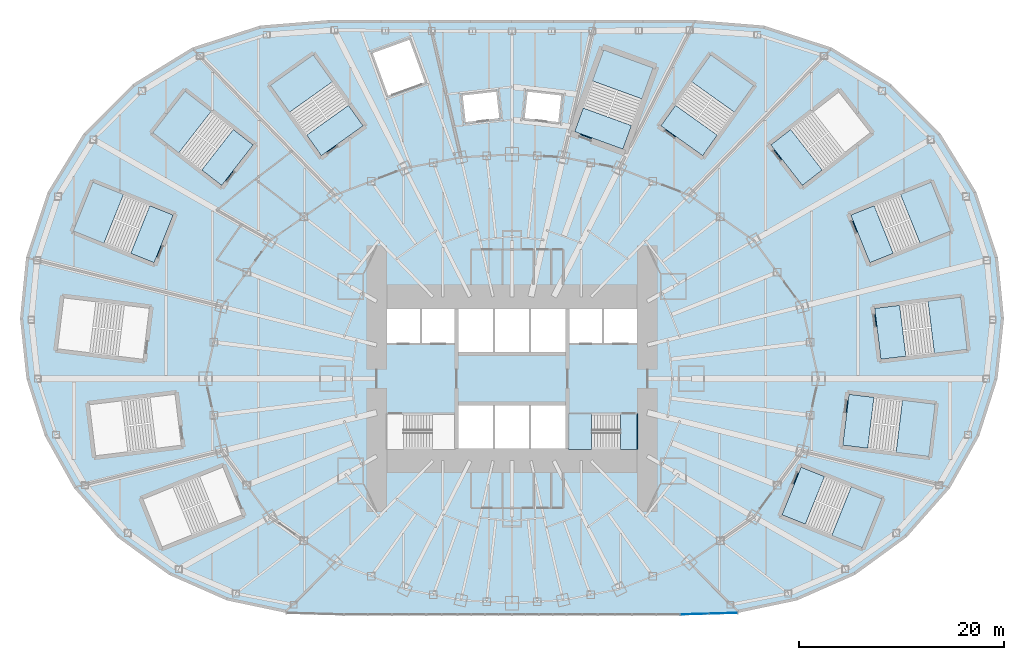
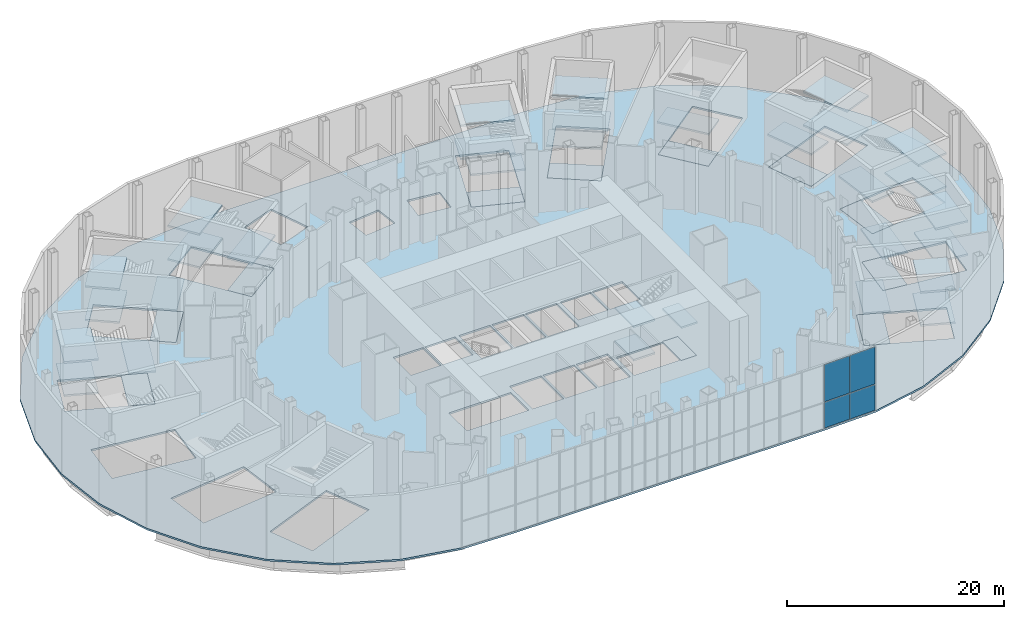
# One storey, part 12 of 73: 43 slabs, 4 plates, 12 elements without a shape of their own.
"""IFC4 building model written with IfcOpenShell, lengths in metres."""

from ifc_helpers import new_model, si_unit, direction, frame, origin, origin_2d, place, context, subcontext, project, spatial, polyline, rectangle, outline, extrude, material, layer, layer_set, type_object, element, aggregate, save


model = new_model("IFC4")

# Units and contexts
model_context = context("Model", 3, precision=1e-05, world=origin(), true_north=direction((0.0, 1.0)))
body_context = subcontext(model_context, "Body", "Model", "MODEL_VIEW")
ifc_project = project(units=[si_unit("LENGTHUNIT", "METRE"), si_unit("AREAUNIT", "SQUARE_METRE"), si_unit("VOLUMEUNIT", "CUBIC_METRE"), si_unit("PLANEANGLEUNIT", "RADIAN"), si_unit("MASSUNIT", "GRAM", prefix="KILO")], contexts=[model_context])

# Site, building, storey
site_placement = place(None, origin())
site = spatial("IfcSite", under=ifc_project, at=site_placement, CompositionType="ELEMENT")
building_placement = place(site_placement, origin())
building = spatial("IfcBuilding", under=site, at=building_placement, Name="Lantaw Convention Tower", CompositionType="ELEMENT")
storey_placement = place(building_placement, frame((0.0, 0.0, 14.5)))
storey = spatial("IfcBuildingStorey", under=building, at=storey_placement, Name="L02", CompositionType="ELEMENT", Elevation=14.5)

# Curtain wall, plates
ifc_material_1 = material(Name="Aluminium framed curtain wall", Category="aluminium")
curtain_wall_type = type_object("IfcCurtainWallType", Name="Podium storefront curtain wall, pale aluminium", PredefinedType="USERDEFINED", material=ifc_material_1)
curtain_wall_placement = place(storey_placement, origin())
curtain_wall = element("IfcCurtainWall", 1, at=curtain_wall_placement, inside=storey, type_object=curtain_wall_type, Name="Podium storefront curtain wall, pale aluminium L02", ObjectType="STOREFRONT", PredefinedType="USERDEFINED")
ifc_material_2 = material(Name="Laminated clear glass", Category="glass")
ifc_layer_1 = layer(ifc_material_2, 0.031982421875)
ifc_layer_set_1 = layer_set([ifc_layer_1], Name="CW-P panel 32")
plate_type = type_object("IfcPlateType", Name="CW-P panel 32", PredefinedType="CURTAIN_PANEL", material=ifc_layer_set_1)
plate_1_placement = place(storey_placement, frame((17.838134765625, -22.958984375, 0.080078125), z_axis=(0.0, 0.0, 1.0), x_axis=(0.99959230263, 0.028552206976, 0.0)))
plate_1 = element("IfcPlate", 2, at=plate_1_placement, type_object=plate_type, Name="CW-P panel 1.1", PredefinedType="CURTAIN_PANEL", context=body_context, shape_type="SweptSolid", body=[
    extrude(rectangle(XDim=2.705810546875, YDim=0.031982421875, at=origin_2d()), origin(), (0.0, 0.0, 1.0), 2.8798828125),
])
plate_2_placement = place(storey_placement, frame((17.838134765625, -22.958984375, 3.0400390625), z_axis=(0.0, 0.0, 1.0), x_axis=(0.99959230263, 0.028552206976, 0.0)))
plate_2 = element("IfcPlate", 3, at=plate_2_placement, type_object=plate_type, Name="CW-P panel 1.2", PredefinedType="CURTAIN_PANEL", context=body_context, shape_type="SweptSolid", body=[
    extrude(rectangle(XDim=2.705810546875, YDim=0.031982421875, at=origin_2d()), origin(), (0.0, 0.0, 1.0), 4.179931640625),
])
plate_3_placement = place(storey_placement, frame((20.622802734375, -22.879638671875, 0.080078125), z_axis=(0.0, 0.0, 1.0), x_axis=(0.99959230263, 0.028552206976, 0.0)))
plate_3 = element("IfcPlate", 4, at=plate_3_placement, type_object=plate_type, Name="CW-P panel 2.1", PredefinedType="CURTAIN_PANEL", context=body_context, shape_type="SweptSolid", body=[
    extrude(rectangle(XDim=2.705810546875, YDim=0.031982421875, at=origin_2d()), origin(), (0.0, 0.0, 1.0), 2.8798828125),
])
plate_4_placement = place(storey_placement, frame((20.622802734375, -22.879638671875, 3.0400390625), z_axis=(0.0, 0.0, 1.0), x_axis=(0.99959230263, 0.028552206976, 0.0)))
plate_4 = element("IfcPlate", 5, at=plate_4_placement, type_object=plate_type, Name="CW-P panel 2.2", PredefinedType="CURTAIN_PANEL", context=body_context, shape_type="SweptSolid", body=[
    extrude(rectangle(XDim=2.705810546875, YDim=0.031982421875, at=origin_2d()), origin(), (0.0, 0.0, 1.0), 4.179931640625),
])
aggregate(curtain_wall, [plate_1, plate_2, plate_3, plate_4])

# Slab
ifc_material_3 = material(Name="Concrete C35/45", Category="concrete")
ifc_layer_2 = layer(ifc_material_3, 0.199951171875)
ifc_layer_set_2 = layer_set([ifc_layer_2], Name="Floor slab 200")
slab_type_1 = type_object("IfcSlabType", Name="Floor slab 200", PredefinedType="FLOOR", material=ifc_layer_set_2)
slab_1_placement = place(storey_placement, frame((0.0, 0.0, -0.199951171875)))
element("IfcSlab", 6, at=slab_1_placement, inside=storey, type_object=slab_type_1, Name="L02 floor slab", PredefinedType="FLOOR", context=body_context, shape_type="SweptSolid", body=[
    extrude(outline(polyline([(45.580322265625, -5.5966796875), (47.37255859375, 0.0), (47.999755859375, 5.8935546875), (47.409912109375, 11.820556640625), (45.313232421875, 18.190673828125), (41.819091796875, 23.896728515625), (36.97607421875, 28.756591796875), (31.2001953125, 32.308837890625), (24.578857421875, 34.458251953125), (17.83349609375, 35.0), (-17.83349609375, 35.0), (-24.578857421875, 34.458251953125), (-31.2001953125, 32.308837890625), (-36.97607421875, 28.756591796875), (-41.819091796875, 23.896728515625), (-45.313232421875, 18.190673828125), (-47.409912109375, 11.820556640625), (-47.999755859375, 5.8935546875), (-47.37255859375, 0.0), (-45.580322265625, -5.5966796875), (-42.73974609375, -10.65625), (-38.50732421875, -15.45849609375), (-33.4755859375, -19.12890625), (-27.811279296875, -21.62890625), (-22.054931640625, -22.838623046875), (-16.40576171875, -23.0), (16.40576171875, -23.0), (22.054931640625, -22.838623046875), (27.811279296875, -21.62890625), (33.4755859375, -19.12890625), (38.50732421875, -15.458251953125), (42.73974609375, -10.65625), (45.580322265625, -5.5966796875)]), holes=[polyline([(-36.005126953125, -11.760009765625), (-34.142333984375, -16.400146484375), (-26.346923828125, -13.270751953125), (-28.209716796875, -8.630615234375), (-36.005126953125, -11.760009765625)]), polyline([(-12.199951171875, -6.800048828125), (-5.60009765625, -6.800048828125), (-5.60009765625, -3.5), (-12.199951171875, -3.5), (-12.199951171875, -6.800048828125)]), polyline([(-5.199951171875, -6.800048828125), (-1.86669921875, -6.800048828125), (-1.86669921875, -2.60009765625), (-5.199951171875, -2.60009765625), (-5.199951171875, -6.800048828125)]), polyline([(-1.666748046875, -6.800048828125), (1.666748046875, -6.800048828125), (1.666748046875, -2.60009765625), (-1.666748046875, -2.60009765625), (-1.666748046875, -6.800048828125)]), polyline([(-32.8828125, -1.518798828125), (-41.22021484375, -2.54248046875), (-40.61083984375, -7.505126953125), (-32.2734375, -6.4814453125), (-32.8828125, -1.518798828125)]), polyline([(-5.199951171875, 2.60009765625), (-1.86669921875, 2.60009765625), (-1.86669921875, 6.800048828125), (-5.199951171875, 6.800048828125), (-5.199951171875, 2.60009765625)]), polyline([(-35.387451171875, 6.86376953125), (-43.724853515625, 7.887451171875), (-44.334228515625, 2.9248046875), (-35.996826171875, 1.901123046875), (-35.387451171875, 6.86376953125)]), polyline([(-9.0, 3.5), (-9.0, 6.800048828125), (-12.199951171875, 6.800048828125), (-12.199951171875, 3.5), (-9.0, 3.5)]), polyline([(-8.800048828125, 3.5), (-5.60009765625, 3.5), (-5.60009765625, 6.800048828125), (-8.800048828125, 6.800048828125), (-8.800048828125, 3.5)]), polyline([(-33.06005859375, 15.965576171875), (-40.85546875, 19.094970703125), (-42.71826171875, 14.454833984375), (-34.9228515625, 11.325439453125), (-33.06005859375, 15.965576171875)]), polyline([(-25.25830078125, 22.810546875), (-31.88916015625, 27.967529296875), (-34.95849609375, 24.0205078125), (-28.327880859375, 18.86376953125), (-25.25830078125, 22.810546875)]), polyline([(-1.236083984375, 25.423583984375), (-1.5302734375, 28.0068359375), (-4.80908203125, 27.63330078125), (-4.5146484375, 25.050048828125), (-1.236083984375, 25.423583984375)]), polyline([(-14.52978515625, 24.67529296875), (-19.40771484375, 31.513916015625), (-23.478271484375, 28.6103515625), (-18.6005859375, 21.771728515625), (-14.52978515625, 24.67529296875)]), polyline([(-8.50927734375, 28.9345703125), (-10.01416015625, 33.0693359375), (-13.585205078125, 31.76953125), (-12.080322265625, 27.635009765625), (-8.50927734375, 28.9345703125)]), polyline([(34.142333984375, -16.39990234375), (36.005126953125, -11.760009765625), (28.209716796875, -8.630615234375), (26.34716796875, -13.270751953125), (34.142333984375, -16.39990234375)]), polyline([(5.60009765625, -6.800048828125), (12.199951171875, -6.800048828125), (12.199951171875, -3.5), (5.60009765625, -3.5), (5.60009765625, -6.800048828125)]), polyline([(1.86669921875, -6.800048828125), (5.199951171875, -6.800048828125), (5.199951171875, -2.60009765625), (1.86669921875, -2.60009765625), (1.86669921875, -6.800048828125)]), polyline([(32.2734375, -6.4814453125), (40.61083984375, -7.505126953125), (41.22021484375, -2.54248046875), (32.8828125, -1.518798828125), (32.2734375, -6.4814453125)]), polyline([(-1.666748046875, 2.60009765625), (1.666748046875, 2.60009765625), (1.666748046875, 6.800048828125), (-1.666748046875, 6.800048828125), (-1.666748046875, 2.60009765625)]), polyline([(1.86669921875, 2.60009765625), (5.199951171875, 2.60009765625), (5.199951171875, 6.800048828125), (1.86669921875, 6.800048828125), (1.86669921875, 2.60009765625)]), polyline([(35.996826171875, 1.901123046875), (44.334228515625, 2.9248046875), (43.724853515625, 7.887451171875), (35.387451171875, 6.86376953125), (35.996826171875, 1.901123046875)]), polyline([(8.800048828125, 3.5), (8.800048828125, 6.800048828125), (5.60009765625, 6.800048828125), (5.60009765625, 3.5), (8.800048828125, 3.5)]), polyline([(9.0, 3.5), (12.199951171875, 3.5), (12.199951171875, 6.800048828125), (9.0, 6.800048828125), (9.0, 3.5)]), polyline([(34.9228515625, 11.325439453125), (42.71826171875, 14.454833984375), (40.85546875, 19.094970703125), (33.06005859375, 15.965576171875), (34.9228515625, 11.325439453125)]), polyline([(28.327880859375, 18.86376953125), (34.95849609375, 24.0205078125), (31.88916015625, 27.967529296875), (25.25830078125, 22.810546875), (28.327880859375, 18.86376953125)]), polyline([(4.5146484375, 25.050048828125), (4.80908203125, 27.63330078125), (1.5302734375, 28.0068359375), (1.236083984375, 25.423583984375), (4.5146484375, 25.050048828125)]), polyline([(18.6005859375, 21.771728515625), (23.478271484375, 28.6103515625), (19.40771484375, 31.513916015625), (14.52978515625, 24.67529296875), (18.6005859375, 21.771728515625)]), polyline([(10.81298828125, 22.398681640625), (13.685791015625, 30.292236328125), (8.987548828125, 32.002197265625), (6.114501953125, 24.10888671875), (10.81298828125, 22.398681640625)])]), origin(), (0.0, 0.0, 1.0), 0.199951171875),
])

# Stair, slabs
stair_type_1 = type_object("IfcStairType", Name="Exit stair 1500 riser 170.45 in 4 flights", PredefinedType="HALF_TURN_STAIR", material=ifc_material_3)
stair_1_placement = place(storey_placement, origin())
stair_1 = element("IfcStair", 7, at=stair_1_placement, inside=storey, type_object=stair_type_1, Name="Exit stair S2 L02", PredefinedType="HALF_TURN_STAIR")
ifc_layer_3 = layer(ifc_material_3, 0.199951171875)
ifc_layer_set_3 = layer_set([ifc_layer_3], Name="Stair landing 200")
slab_type_2 = type_object("IfcSlabType", Name="Stair landing 200", PredefinedType="LANDING", material=ifc_layer_set_3)
slab_2_placement = place(storey_placement, frame((0.0, 0.0, -0.199951171875)))
slab_2 = element("IfcSlab", 8, at=slab_2_placement, type_object=slab_type_2, Name="S2 landing 1", PredefinedType="LANDING", context=body_context, shape_type="SweptSolid", body=[
    extrude(outline(polyline([(10.580078125, -6.89990234375), (12.199951171875, -6.89990234375), (12.199951171875, -3.39990234375), (10.580078125, -3.39990234375), (10.580078125, -6.89990234375)])), origin(), (0.0, 0.0, 1.0), 0.199951171875),
])
slab_3_placement = place(storey_placement, frame((0.0, 0.0, 1.675048828125)))
slab_3 = element("IfcSlab", 9, at=slab_3_placement, type_object=slab_type_2, Name="S2 landing 2", PredefinedType="LANDING", context=body_context, shape_type="SweptSolid", body=[
    extrude(outline(polyline([(5.5, -6.89990234375), (7.780029296875, -6.89990234375), (7.780029296875, -3.39990234375), (5.5, -3.39990234375), (5.5, -6.89990234375)])), origin(), (0.0, 0.0, 1.0), 0.199951171875),
])
slab_4_placement = place(storey_placement, frame((0.0, 0.0, 3.550048828125)))
slab_4 = element("IfcSlab", 10, at=slab_4_placement, type_object=slab_type_2, Name="S2 landing 3", PredefinedType="LANDING", context=body_context, shape_type="SweptSolid", body=[
    extrude(outline(polyline([(10.580078125, -6.89990234375), (12.300048828125, -6.89990234375), (12.300048828125, -3.39990234375), (10.580078125, -3.39990234375), (10.580078125, -6.89990234375)])), origin(), (0.0, 0.0, 1.0), 0.199951171875),
])
slab_5_placement = place(storey_placement, frame((0.0, 0.0, 5.425048828125)))
slab_5 = element("IfcSlab", 11, at=slab_5_placement, type_object=slab_type_2, Name="S2 landing 4", PredefinedType="LANDING", context=body_context, shape_type="SweptSolid", body=[
    extrude(outline(polyline([(5.5, -6.89990234375), (7.780029296875, -6.89990234375), (7.780029296875, -3.39990234375), (5.5, -3.39990234375), (5.5, -6.89990234375)])), origin(), (0.0, 0.0, 1.0), 0.199951171875),
])
aggregate(stair_1, [slab_2, slab_3, slab_4, slab_5])

stair_type_2 = type_object("IfcStairType", Name="Exit stair 2400 riser 170.45 in 4 flights", PredefinedType="HALF_TURN_STAIR", material=ifc_material_3)
stair_2_placement = place(storey_placement, origin())
stair_2 = element("IfcStair", 12, at=stair_2_placement, inside=storey, type_object=stair_type_2, Name="Podium exit stair P1 L02", PredefinedType="HALF_TURN_STAIR")
slab_6_placement = place(storey_placement, frame((0.0, 0.0, -0.199951171875)))
slab_6 = element("IfcSlab", 13, at=slab_6_placement, type_object=slab_type_2, Name="P1 landing 1", PredefinedType="LANDING", context=body_context, shape_type="SweptSolid", body=[
    extrude(outline(polyline([(35.996826171875, 1.901123046875), (38.4306640625, 2.199951171875), (37.8212890625, 7.16259765625), (35.387451171875, 6.86376953125), (35.996826171875, 1.901123046875)])), origin(), (0.0, 0.0, 1.0), 0.199951171875),
])
slab_7_placement = place(storey_placement, frame((0.0, 0.0, 1.675048828125)))
slab_7 = element("IfcSlab", 14, at=slab_7_placement, type_object=slab_type_2, Name="P1 landing 2", PredefinedType="LANDING", context=body_context, shape_type="SweptSolid", body=[
    extrude(outline(polyline([(41.215576171875, 2.461181640625), (44.42333984375, 2.855224609375), (43.794677734375, 7.9765625), (40.586669921875, 7.582763671875), (41.215576171875, 2.461181640625)])), origin(), (0.0, 0.0, 1.0), 0.199951171875),
])
slab_8_placement = place(storey_placement, frame((0.0, 0.0, 3.550048828125)))
slab_8 = element("IfcSlab", 15, at=slab_8_placement, type_object=slab_type_2, Name="P1 landing 3", PredefinedType="LANDING", context=body_context, shape_type="SweptSolid", body=[
    extrude(outline(polyline([(35.92724609375, 1.81201171875), (38.4404296875, 2.12060546875), (37.8115234375, 7.241943359375), (35.29833984375, 6.93359375), (35.92724609375, 1.81201171875)])), origin(), (0.0, 0.0, 1.0), 0.199951171875),
])
slab_9_placement = place(storey_placement, frame((0.0, 0.0, 5.425048828125)))
slab_9 = element("IfcSlab", 16, at=slab_9_placement, type_object=slab_type_2, Name="P1 landing 4", PredefinedType="LANDING", context=body_context, shape_type="SweptSolid", body=[
    extrude(outline(polyline([(41.215576171875, 2.461181640625), (44.42333984375, 2.855224609375), (43.794677734375, 7.9765625), (40.586669921875, 7.582763671875), (41.215576171875, 2.461181640625)])), origin(), (0.0, 0.0, 1.0), 0.199951171875),
])
aggregate(stair_2, [slab_6, slab_7, slab_8, slab_9])

stair_3_placement = place(storey_placement, origin())
stair_3 = element("IfcStair", 17, at=stair_3_placement, inside=storey, type_object=stair_type_2, Name="Podium exit stair P2 L02", PredefinedType="HALF_TURN_STAIR")
slab_10_placement = place(storey_placement, frame((0.0, 0.0, -0.199951171875)))
slab_10 = element("IfcSlab", 18, at=slab_10_placement, type_object=slab_type_2, Name="P2 landing 1", PredefinedType="LANDING", context=body_context, shape_type="SweptSolid", body=[
    extrude(outline(polyline([(34.9228515625, 11.325439453125), (37.198486328125, 12.239013671875), (35.335693359375, 16.879150390625), (33.06005859375, 15.965576171875), (34.9228515625, 11.325439453125)])), origin(), (0.0, 0.0, 1.0), 0.199951171875),
])
slab_11_placement = place(storey_placement, frame((0.0, 0.0, 1.675048828125)))
slab_11 = element("IfcSlab", 19, at=slab_11_placement, type_object=slab_type_2, Name="P2 landing 2", PredefinedType="LANDING", context=body_context, shape_type="SweptSolid", body=[
    extrude(outline(polyline([(39.822998046875, 13.206298828125), (42.822265625, 14.410400390625), (40.89990234375, 19.198974609375), (37.900634765625, 17.994873046875), (39.822998046875, 13.206298828125)])), origin(), (0.0, 0.0, 1.0), 0.199951171875),
])
slab_12_placement = place(storey_placement, frame((0.0, 0.0, 3.550048828125)))
slab_12 = element("IfcSlab", 20, at=slab_12_placement, type_object=slab_type_2, Name="P2 landing 3", PredefinedType="LANDING", context=body_context, shape_type="SweptSolid", body=[
    extrude(outline(polyline([(34.87841796875, 11.221435546875), (37.228271484375, 12.164794921875), (35.305908203125, 16.953369140625), (32.9560546875, 16.010009765625), (34.87841796875, 11.221435546875)])), origin(), (0.0, 0.0, 1.0), 0.199951171875),
])
slab_13_placement = place(storey_placement, frame((0.0, 0.0, 5.425048828125)))
slab_13 = element("IfcSlab", 21, at=slab_13_placement, type_object=slab_type_2, Name="P2 landing 4", PredefinedType="LANDING", context=body_context, shape_type="SweptSolid", body=[
    extrude(outline(polyline([(39.822998046875, 13.206298828125), (42.822265625, 14.410400390625), (40.89990234375, 19.198974609375), (37.900634765625, 17.994873046875), (39.822998046875, 13.206298828125)])), origin(), (0.0, 0.0, 1.0), 0.199951171875),
])
aggregate(stair_3, [slab_10, slab_11, slab_12, slab_13])

stair_4_placement = place(storey_placement, origin())
stair_4 = element("IfcStair", 22, at=stair_4_placement, inside=storey, type_object=stair_type_2, Name="Podium exit stair P3 L02", PredefinedType="HALF_TURN_STAIR")
slab_14_placement = place(storey_placement, frame((0.0, 0.0, -0.199951171875)))
slab_14 = element("IfcSlab", 23, at=slab_14_placement, type_object=slab_type_2, Name="P3 landing 1", PredefinedType="LANDING", context=body_context, shape_type="SweptSolid", body=[
    extrude(outline(polyline([(28.327880859375, 18.86376953125), (30.263427734375, 20.369140625), (27.19384765625, 24.31591796875), (25.25830078125, 22.810546875), (28.327880859375, 18.86376953125)])), origin(), (0.0, 0.0, 1.0), 0.199951171875),
])
slab_15_placement = place(storey_placement, frame((0.0, 0.0, 3.550048828125)))
slab_15 = element("IfcSlab", 24, at=slab_15_placement, type_object=slab_type_2, Name="P3 landing 3", PredefinedType="LANDING", context=body_context, shape_type="SweptSolid", body=[
    extrude(outline(polyline([(28.313720703125, 18.75146484375), (30.3125, 20.305908203125), (27.144775390625, 24.379150390625), (25.14599609375, 22.82470703125), (28.313720703125, 18.75146484375)])), origin(), (0.0, 0.0, 1.0), 0.199951171875),
])
aggregate(stair_4, [slab_14, slab_15])

stair_5_placement = place(storey_placement, origin())
stair_5 = element("IfcStair", 25, at=stair_5_placement, inside=storey, type_object=stair_type_2, Name="Podium exit stair P4 L02", PredefinedType="HALF_TURN_STAIR")
slab_16_placement = place(storey_placement, frame((0.0, 0.0, -0.199951171875)))
slab_16 = element("IfcSlab", 26, at=slab_16_placement, type_object=slab_type_2, Name="P4 landing 1", PredefinedType="LANDING", context=body_context, shape_type="SweptSolid", body=[
    extrude(outline(polyline([(18.6005859375, 21.771728515625), (20.0244140625, 23.76806640625), (15.953857421875, 26.67138671875), (14.52978515625, 24.67529296875), (18.6005859375, 21.771728515625)])), origin(), (0.0, 0.0, 1.0), 0.199951171875),
])
slab_17_placement = place(storey_placement, frame((0.0, 0.0, 1.675048828125)))
slab_17 = element("IfcSlab", 27, at=slab_17_placement, type_object=slab_type_2, Name="P4 landing 2", PredefinedType="LANDING", context=body_context, shape_type="SweptSolid", body=[
    extrude(outline(polyline([(21.713134765625, 25.997802734375), (23.58984375, 28.62890625), (19.38916015625, 31.62548828125), (17.51220703125, 28.994140625), (21.713134765625, 25.997802734375)])), origin(), (0.0, 0.0, 1.0), 0.199951171875),
])
slab_18_placement = place(storey_placement, frame((0.0, 0.0, 3.550048828125)))
slab_18 = element("IfcSlab", 28, at=slab_18_placement, type_object=slab_type_2, Name="P4 landing 3", PredefinedType="LANDING", context=body_context, shape_type="SweptSolid", body=[
    extrude(outline(polyline([(18.619140625, 21.66015625), (20.089599609375, 23.721435546875), (15.888671875, 26.718017578125), (14.418212890625, 24.656494140625), (18.619140625, 21.66015625)])), origin(), (0.0, 0.0, 1.0), 0.199951171875),
])
slab_19_placement = place(storey_placement, frame((0.0, 0.0, 5.425048828125)))
slab_19 = element("IfcSlab", 29, at=slab_19_placement, type_object=slab_type_2, Name="P4 landing 4", PredefinedType="LANDING", context=body_context, shape_type="SweptSolid", body=[
    extrude(outline(polyline([(21.713134765625, 25.997802734375), (23.58984375, 28.62890625), (19.38916015625, 31.62548828125), (17.51220703125, 28.994140625), (21.713134765625, 25.997802734375)])), origin(), (0.0, 0.0, 1.0), 0.199951171875),
])
aggregate(stair_5, [slab_16, slab_17, slab_18, slab_19])

stair_6_placement = place(storey_placement, origin())
stair_6 = element("IfcStair", 30, at=stair_6_placement, inside=storey, type_object=stair_type_2, Name="Podium exit stair P5 L02", PredefinedType="HALF_TURN_STAIR")
slab_20_placement = place(storey_placement, frame((0.0, 0.0, -0.199951171875)))
slab_20 = element("IfcSlab", 31, at=slab_20_placement, type_object=slab_type_2, Name="P5 landing 1", PredefinedType="LANDING", context=body_context, shape_type="SweptSolid", body=[
    extrude(outline(polyline([(10.81298828125, 22.398681640625), (11.651611328125, 24.702880859375), (6.953125, 26.4130859375), (6.114501953125, 24.10888671875), (10.81298828125, 22.398681640625)])), origin(), (0.0, 0.0, 1.0), 0.199951171875),
])
slab_21_placement = place(storey_placement, frame((0.0, 0.0, 1.675048828125)))
slab_21 = element("IfcSlab", 32, at=slab_21_placement, type_object=slab_type_2, Name="P5 landing 2", PredefinedType="LANDING", context=body_context, shape_type="SweptSolid", body=[
    extrude(outline(polyline([(12.68310546875, 27.302978515625), (13.788330078125, 30.340087890625), (8.939697265625, 32.104736328125), (7.834228515625, 29.06787109375), (12.68310546875, 27.302978515625)])), origin(), (0.0, 0.0, 1.0), 0.199951171875),
])
slab_22_placement = place(storey_placement, frame((0.0, 0.0, 3.550048828125)))
slab_22 = element("IfcSlab", 33, at=slab_22_placement, type_object=slab_type_2, Name="P5 landing 3", PredefinedType="LANDING", context=body_context, shape_type="SweptSolid", body=[
    extrude(outline(polyline([(10.86083984375, 22.296142578125), (11.726806640625, 24.675537109375), (6.8779296875, 26.4404296875), (6.011962890625, 24.06103515625), (10.86083984375, 22.296142578125)])), origin(), (0.0, 0.0, 1.0), 0.199951171875),
])
slab_23_placement = place(storey_placement, frame((0.0, 0.0, 5.425048828125)))
slab_23 = element("IfcSlab", 34, at=slab_23_placement, type_object=slab_type_2, Name="P5 landing 4", PredefinedType="LANDING", context=body_context, shape_type="SweptSolid", body=[
    extrude(outline(polyline([(12.68310546875, 27.302978515625), (13.788330078125, 30.340087890625), (8.939697265625, 32.104736328125), (7.834228515625, 29.06787109375), (12.68310546875, 27.302978515625)])), origin(), (0.0, 0.0, 1.0), 0.199951171875),
])
aggregate(stair_6, [slab_20, slab_21, slab_22, slab_23])

stair_7_placement = place(storey_placement, origin())
stair_7 = element("IfcStair", 35, at=stair_7_placement, inside=storey, type_object=stair_type_2, Name="Podium exit stair P6 L02", PredefinedType="HALF_TURN_STAIR")
slab_24_placement = place(storey_placement, frame((0.0, 0.0, -0.199951171875)))
slab_24 = element("IfcSlab", 36, at=slab_24_placement, type_object=slab_type_2, Name="P6 landing 1", PredefinedType="LANDING", context=body_context, shape_type="SweptSolid", body=[
    extrude(outline(polyline([(-14.52978515625, 24.67529296875), (-15.953857421875, 26.67138671875), (-20.0244140625, 23.76806640625), (-18.6005859375, 21.771728515625), (-14.52978515625, 24.67529296875)])), origin(), (0.0, 0.0, 1.0), 0.199951171875),
])
slab_25_placement = place(storey_placement, frame((0.0, 0.0, 1.675048828125)))
slab_25 = element("IfcSlab", 37, at=slab_25_placement, type_object=slab_type_2, Name="P6 landing 2", PredefinedType="LANDING", context=body_context, shape_type="SweptSolid", body=[
    extrude(outline(polyline([(-17.51220703125, 28.994140625), (-19.38916015625, 31.62548828125), (-23.58984375, 28.62890625), (-21.713134765625, 25.997802734375), (-17.51220703125, 28.994140625)])), origin(), (0.0, 0.0, 1.0), 0.199951171875),
])
slab_26_placement = place(storey_placement, frame((0.0, 0.0, 3.550048828125)))
slab_26 = element("IfcSlab", 38, at=slab_26_placement, type_object=slab_type_2, Name="P6 landing 3", PredefinedType="LANDING", context=body_context, shape_type="SweptSolid", body=[
    extrude(outline(polyline([(-14.418212890625, 24.656494140625), (-15.888671875, 26.718017578125), (-20.089599609375, 23.721435546875), (-18.619140625, 21.66015625), (-14.418212890625, 24.656494140625)])), origin(), (0.0, 0.0, 1.0), 0.199951171875),
])
slab_27_placement = place(storey_placement, frame((0.0, 0.0, 5.425048828125)))
slab_27 = element("IfcSlab", 39, at=slab_27_placement, type_object=slab_type_2, Name="P6 landing 4", PredefinedType="LANDING", context=body_context, shape_type="SweptSolid", body=[
    extrude(outline(polyline([(-17.51220703125, 28.994140625), (-19.38916015625, 31.62548828125), (-23.58984375, 28.62890625), (-21.713134765625, 25.997802734375), (-17.51220703125, 28.994140625)])), origin(), (0.0, 0.0, 1.0), 0.199951171875),
])
aggregate(stair_7, [slab_24, slab_25, slab_26, slab_27])

stair_8_placement = place(storey_placement, origin())
stair_8 = element("IfcStair", 40, at=stair_8_placement, inside=storey, type_object=stair_type_2, Name="Podium exit stair P7 L02", PredefinedType="HALF_TURN_STAIR")
slab_28_placement = place(storey_placement, frame((0.0, 0.0, -0.199951171875)))
slab_28 = element("IfcSlab", 41, at=slab_28_placement, type_object=slab_type_2, Name="P7 landing 1", PredefinedType="LANDING", context=body_context, shape_type="SweptSolid", body=[
    extrude(outline(polyline([(-25.25830078125, 22.810546875), (-27.19384765625, 24.31591796875), (-30.263427734375, 20.369140625), (-28.327880859375, 18.86376953125), (-25.25830078125, 22.810546875)])), origin(), (0.0, 0.0, 1.0), 0.199951171875),
])
slab_29_placement = place(storey_placement, frame((0.0, 0.0, 1.675048828125)))
slab_29 = element("IfcSlab", 42, at=slab_29_placement, type_object=slab_type_2, Name="P7 landing 2", PredefinedType="LANDING", context=body_context, shape_type="SweptSolid", body=[
    extrude(outline(polyline([(-29.351806640625, 26.095458984375), (-31.903076171875, 28.07958984375), (-35.07080078125, 24.006591796875), (-32.51953125, 22.0224609375), (-29.351806640625, 26.095458984375)])), origin(), (0.0, 0.0, 1.0), 0.199951171875),
])
slab_30_placement = place(storey_placement, frame((0.0, 0.0, 3.550048828125)))
slab_30 = element("IfcSlab", 43, at=slab_30_placement, type_object=slab_type_2, Name="P7 landing 3", PredefinedType="LANDING", context=body_context, shape_type="SweptSolid", body=[
    extrude(outline(polyline([(-25.14599609375, 22.82470703125), (-27.144775390625, 24.379150390625), (-30.3125, 20.305908203125), (-28.313720703125, 18.75146484375), (-25.14599609375, 22.82470703125)])), origin(), (0.0, 0.0, 1.0), 0.199951171875),
])
slab_31_placement = place(storey_placement, frame((0.0, 0.0, 5.425048828125)))
slab_31 = element("IfcSlab", 44, at=slab_31_placement, type_object=slab_type_2, Name="P7 landing 4", PredefinedType="LANDING", context=body_context, shape_type="SweptSolid", body=[
    extrude(outline(polyline([(-29.351806640625, 26.095458984375), (-31.903076171875, 28.07958984375), (-35.07080078125, 24.006591796875), (-32.51953125, 22.0224609375), (-29.351806640625, 26.095458984375)])), origin(), (0.0, 0.0, 1.0), 0.199951171875),
])
aggregate(stair_8, [slab_28, slab_29, slab_30, slab_31])

stair_9_placement = place(storey_placement, origin())
stair_9 = element("IfcStair", 45, at=stair_9_placement, inside=storey, type_object=stair_type_2, Name="Podium exit stair P8 L02", PredefinedType="HALF_TURN_STAIR")
slab_32_placement = place(storey_placement, frame((0.0, 0.0, -0.199951171875)))
slab_32 = element("IfcSlab", 46, at=slab_32_placement, type_object=slab_type_2, Name="P8 landing 1", PredefinedType="LANDING", context=body_context, shape_type="SweptSolid", body=[
    extrude(outline(polyline([(-33.06005859375, 15.965576171875), (-35.335693359375, 16.879150390625), (-37.198486328125, 12.239013671875), (-34.9228515625, 11.325439453125), (-33.06005859375, 15.965576171875)])), origin(), (0.0, 0.0, 1.0), 0.199951171875),
])
slab_33_placement = place(storey_placement, frame((0.0, 0.0, 1.675048828125)))
slab_33 = element("IfcSlab", 47, at=slab_33_placement, type_object=slab_type_2, Name="P8 landing 2", PredefinedType="LANDING", context=body_context, shape_type="SweptSolid", body=[
    extrude(outline(polyline([(-37.900634765625, 17.994873046875), (-40.89990234375, 19.198974609375), (-42.822265625, 14.410400390625), (-39.822998046875, 13.206298828125), (-37.900634765625, 17.994873046875)])), origin(), (0.0, 0.0, 1.0), 0.199951171875),
])
slab_34_placement = place(storey_placement, frame((0.0, 0.0, 3.550048828125)))
slab_34 = element("IfcSlab", 48, at=slab_34_placement, type_object=slab_type_2, Name="P8 landing 3", PredefinedType="LANDING", context=body_context, shape_type="SweptSolid", body=[
    extrude(outline(polyline([(-32.9560546875, 16.010009765625), (-35.305908203125, 16.953369140625), (-37.228271484375, 12.164794921875), (-34.87841796875, 11.221435546875), (-32.9560546875, 16.010009765625)])), origin(), (0.0, 0.0, 1.0), 0.199951171875),
])
slab_35_placement = place(storey_placement, frame((0.0, 0.0, 5.425048828125)))
slab_35 = element("IfcSlab", 49, at=slab_35_placement, type_object=slab_type_2, Name="P8 landing 4", PredefinedType="LANDING", context=body_context, shape_type="SweptSolid", body=[
    extrude(outline(polyline([(-37.900634765625, 17.994873046875), (-40.89990234375, 19.198974609375), (-42.822265625, 14.410400390625), (-39.822998046875, 13.206298828125), (-37.900634765625, 17.994873046875)])), origin(), (0.0, 0.0, 1.0), 0.199951171875),
])
aggregate(stair_9, [slab_32, slab_33, slab_34, slab_35])

stair_10_placement = place(storey_placement, origin())
stair_10 = element("IfcStair", 50, at=stair_10_placement, inside=storey, type_object=stair_type_2, Name="Podium exit stair P12 L02", PredefinedType="HALF_TURN_STAIR")
slab_36_placement = place(storey_placement, frame((0.0, 0.0, -0.199951171875)))
slab_36 = element("IfcSlab", 51, at=slab_36_placement, type_object=slab_type_2, Name="P12 landing 1", PredefinedType="LANDING", context=body_context, shape_type="SweptSolid", body=[
    extrude(outline(polyline([(26.34716796875, -13.270751953125), (28.62255859375, -14.18408203125), (30.4853515625, -9.5439453125), (28.209716796875, -8.630615234375), (26.34716796875, -13.270751953125)])), origin(), (0.0, 0.0, 1.0), 0.199951171875),
])
slab_37_placement = place(storey_placement, frame((0.0, 0.0, 1.675048828125)))
slab_37 = element("IfcSlab", 52, at=slab_37_placement, type_object=slab_type_2, Name="P12 landing 2", PredefinedType="LANDING", context=body_context, shape_type="SweptSolid", body=[
    extrude(outline(polyline([(31.1875, -15.300048828125), (34.186767578125, -16.50390625), (36.109130859375, -11.715576171875), (33.10986328125, -10.511474609375), (31.1875, -15.300048828125)])), origin(), (0.0, 0.0, 1.0), 0.199951171875),
])
slab_38_placement = place(storey_placement, frame((0.0, 0.0, 3.550048828125)))
slab_38 = element("IfcSlab", 53, at=slab_38_placement, type_object=slab_type_2, Name="P12 landing 3", PredefinedType="LANDING", context=body_context, shape_type="SweptSolid", body=[
    extrude(outline(polyline([(26.242919921875, -13.315185546875), (28.5927734375, -14.25830078125), (30.51513671875, -9.4697265625), (28.165283203125, -8.526611328125), (26.242919921875, -13.315185546875)])), origin(), (0.0, 0.0, 1.0), 0.199951171875),
])
slab_39_placement = place(storey_placement, frame((0.0, 0.0, 5.425048828125)))
slab_39 = element("IfcSlab", 54, at=slab_39_placement, type_object=slab_type_2, Name="P12 landing 4", PredefinedType="LANDING", context=body_context, shape_type="SweptSolid", body=[
    extrude(outline(polyline([(31.1875, -15.300048828125), (34.186767578125, -16.50390625), (36.109130859375, -11.715576171875), (33.10986328125, -10.511474609375), (31.1875, -15.300048828125)])), origin(), (0.0, 0.0, 1.0), 0.199951171875),
])
aggregate(stair_10, [slab_36, slab_37, slab_38, slab_39])

stair_11_placement = place(storey_placement, origin())
stair_11 = element("IfcStair", 55, at=stair_11_placement, inside=storey, type_object=stair_type_2, Name="Podium exit stair P13 L02", PredefinedType="HALF_TURN_STAIR")
slab_40_placement = place(storey_placement, frame((0.0, 0.0, -0.199951171875)))
slab_40 = element("IfcSlab", 56, at=slab_40_placement, type_object=slab_type_2, Name="P13 landing 1", PredefinedType="LANDING", context=body_context, shape_type="SweptSolid", body=[
    extrude(outline(polyline([(32.2734375, -6.4814453125), (34.70703125, -6.7802734375), (35.31640625, -1.817626953125), (32.8828125, -1.518798828125), (32.2734375, -6.4814453125)])), origin(), (0.0, 0.0, 1.0), 0.199951171875),
])
slab_41_placement = place(storey_placement, frame((0.0, 0.0, 1.675048828125)))
slab_41 = element("IfcSlab", 57, at=slab_41_placement, type_object=slab_type_2, Name="P13 landing 2", PredefinedType="LANDING", context=body_context, shape_type="SweptSolid", body=[
    extrude(outline(polyline([(37.47265625, -7.200439453125), (40.680419921875, -7.59423828125), (41.309326171875, -2.47265625), (38.101318359375, -2.078857421875), (37.47265625, -7.200439453125)])), origin(), (0.0, 0.0, 1.0), 0.199951171875),
])
slab_42_placement = place(storey_placement, frame((0.0, 0.0, 3.550048828125)))
slab_42 = element("IfcSlab", 58, at=slab_42_placement, type_object=slab_type_2, Name="P13 landing 3", PredefinedType="LANDING", context=body_context, shape_type="SweptSolid", body=[
    extrude(outline(polyline([(32.184326171875, -6.551025390625), (34.697265625, -6.859619140625), (35.326171875, -1.738037109375), (32.81298828125, -1.4296875), (32.184326171875, -6.551025390625)])), origin(), (0.0, 0.0, 1.0), 0.199951171875),
])
slab_43_placement = place(storey_placement, frame((0.0, 0.0, 5.425048828125)))
slab_43 = element("IfcSlab", 59, at=slab_43_placement, type_object=slab_type_2, Name="P13 landing 4", PredefinedType="LANDING", context=body_context, shape_type="SweptSolid", body=[
    extrude(outline(polyline([(37.47265625, -7.200439453125), (40.680419921875, -7.59423828125), (41.309326171875, -2.47265625), (38.101318359375, -2.078857421875), (37.47265625, -7.200439453125)])), origin(), (0.0, 0.0, 1.0), 0.199951171875),
])
aggregate(stair_11, [slab_40, slab_41, slab_42, slab_43])

save(model, "model.ifc")
